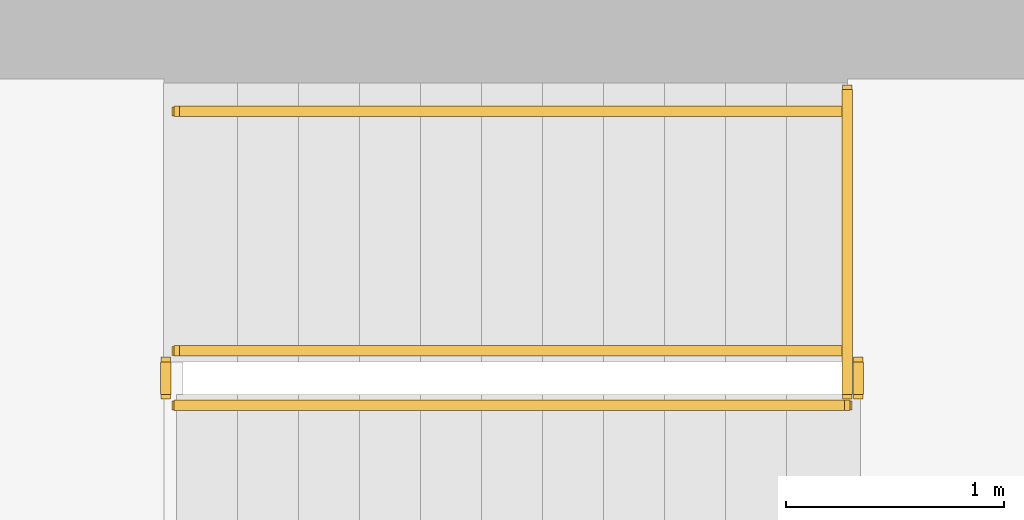
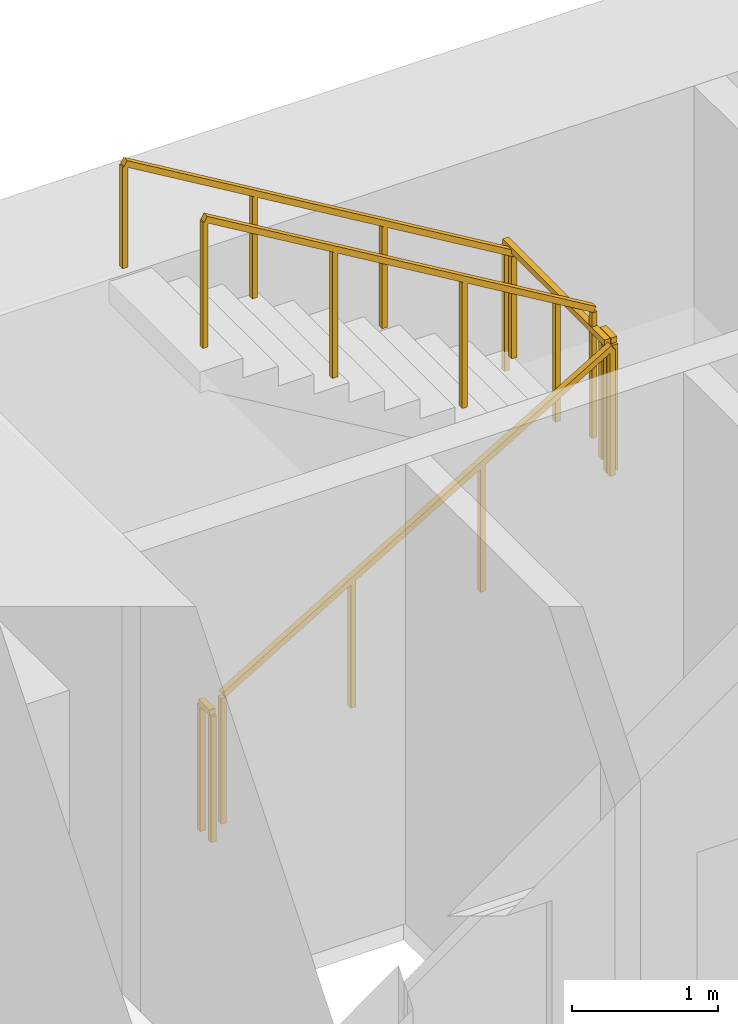
# One storey, part 15 of 16: 6 railings.
"""IFC4 building model written with IfcOpenShell, lengths in metres."""

from ifc_helpers import new_model, si_unit, direction, frame, origin, origin_2d, place, context, subcontext, project, spatial, rectangle, extrude, material, type_object, element, save


model = new_model("IFC4")

# Units and contexts
model_context = context("Model", 3, precision=1e-05, world=origin(), true_north=direction((0.0, 1.0)))
body_context = subcontext(model_context, "Body", "Model", "MODEL_VIEW")
ifc_project = project(units=[si_unit("LENGTHUNIT", "METRE"), si_unit("AREAUNIT", "SQUARE_METRE"), si_unit("VOLUMEUNIT", "CUBIC_METRE"), si_unit("PLANEANGLEUNIT", "RADIAN"), si_unit("MASSUNIT", "GRAM", prefix="KILO")], contexts=[model_context])

# Site, building, storey
site_placement = place(None, origin())
site = spatial("IfcSite", under=ifc_project, at=site_placement, CompositionType="ELEMENT")
building_placement = place(site_placement, origin())
building = spatial("IfcBuilding", under=site, at=building_placement, Name="Sennacour Bend Tower", CompositionType="ELEMENT")
storey_placement = place(building_placement, frame((0.0, 0.0, 69.0)))
storey = spatial("IfcBuildingStorey", under=building, at=storey_placement, Name="L15", CompositionType="ELEMENT", Elevation=69.0)

# Railings
ifc_material = material(Name="Stainless steel", Category="steel")
railing_type_1 = type_object("IfcRailingType", Name="RL-GUARD-1100", PredefinedType="GUARDRAIL", material=ifc_material)
railing_1_placement = place(storey_placement, frame((56.699951171875, 19.85009765625, 0.166748046875)))
element("IfcRailing", 1, at=railing_1_placement, inside=storey, type_object=railing_type_1, Name="L15 SA2 stair guard 1", PredefinedType="GUARDRAIL", context=body_context, shape_type="SweptSolid", body=[
    extrude(rectangle(XDim=0.048095703125, YDim=0.048095703125, at=origin_2d()), frame((0.0, 0.0, 1.076171875), z_axis=(0.859308565015, 0.0, 0.511457515432), x_axis=(0.0, 1.0, 0.0)), (0.0, 0.0, 1.0), 3.58447265625),
    extrude(rectangle(XDim=0.0419921875, YDim=0.0419921875, at=origin_2d()), origin(), (0.0, 0.0, 1.0), 1.052001953125),
    extrude(rectangle(XDim=0.0419921875, YDim=0.0419921875, at=origin_2d()), frame((1.026611328125, 0.0, 0.611083984375)), (0.0, 0.0, 1.0), 1.052001953125),
    extrude(rectangle(XDim=0.0419921875, YDim=0.0419921875, at=origin_2d()), frame((2.053466796875, 0.0, 1.22216796875)), (0.0, 0.0, 1.0), 1.052001953125),
    extrude(rectangle(XDim=0.0419921875, YDim=0.0419921875, at=origin_2d()), frame((3.080078125, 0.0, 1.833251953125)), (0.0, 0.0, 1.0), 1.052001953125),
])
railing_2_placement = place(storey_placement, frame((59.830078125, 19.89990234375, 2.0)))
element("IfcRailing", 2, at=railing_2_placement, inside=storey, type_object=railing_type_1, Name="L15 SA2 stair guard 2", PredefinedType="GUARDRAIL", context=body_context, shape_type="SweptSolid", body=[
    extrude(rectangle(XDim=0.048095703125, YDim=0.048095703125, at=origin_2d()), frame((0.0, 0.0, 1.076171875), z_axis=(0.0, 1.0, 0.0), x_axis=(-1.0, 0.0, 0.0)), (0.0, 0.0, 1.0), 0.150146484375),
    extrude(rectangle(XDim=0.0419921875, YDim=0.0419921875, at=origin_2d()), origin(), (0.0, 0.0, 1.0), 1.052001953125),
    extrude(rectangle(XDim=0.0419921875, YDim=0.0419921875, at=origin_2d()), frame((0.0, 0.150146484375, 0.0)), (0.0, 0.0, 1.0), 1.052001953125),
])
railing_3_placement = place(storey_placement, frame((59.780029296875, 20.10009765625, 2.166748046875)))
element("IfcRailing", 3, at=railing_3_placement, inside=storey, type_object=railing_type_1, Name="L15 SA2 stair guard 4", PredefinedType="GUARDRAIL", context=body_context, shape_type="SweptSolid", body=[
    extrude(rectangle(XDim=0.048095703125, YDim=0.048095703125, at=origin_2d()), frame((0.0, 0.0, 1.076171875), z_axis=(-0.859308565015, 0.0, 0.511457515432), x_axis=(0.0, -1.0, 0.0)), (0.0, 0.0, 1.0), 3.58447265625),
    extrude(rectangle(XDim=0.0419921875, YDim=0.0419921875, at=origin_2d()), origin(), (0.0, 0.0, 1.0), 1.052001953125),
    extrude(rectangle(XDim=0.0419921875, YDim=0.0419921875, at=origin_2d()), frame((-1.026611328125, 0.0, 0.611083984375)), (0.0, 0.0, 1.0), 1.052001953125),
    extrude(rectangle(XDim=0.0419921875, YDim=0.0419921875, at=origin_2d()), frame((-2.053466796875, 0.0, 1.22216796875)), (0.0, 0.0, 1.0), 1.052001953125),
    extrude(rectangle(XDim=0.0419921875, YDim=0.0419921875, at=origin_2d()), frame((-3.080078125, 0.0, 1.833251953125)), (0.0, 0.0, 1.0), 1.052001953125),
])
railing_4_placement = place(storey_placement, frame((56.64990234375, 19.89990234375, 0.0)))
element("IfcRailing", 4, at=railing_4_placement, inside=storey, type_object=railing_type_1, Name="L15 SA2 stair guard 5", PredefinedType="GUARDRAIL", context=body_context, shape_type="SweptSolid", body=[
    extrude(rectangle(XDim=0.048095703125, YDim=0.048095703125, at=origin_2d()), frame((0.0, 0.0, 1.076171875), z_axis=(0.0, 1.0, 0.0), x_axis=(-1.0, 0.0, 0.0)), (0.0, 0.0, 1.0), 0.150146484375),
    extrude(rectangle(XDim=0.0419921875, YDim=0.0419921875, at=origin_2d()), origin(), (0.0, 0.0, 1.0), 1.052001953125),
    extrude(rectangle(XDim=0.0419921875, YDim=0.0419921875, at=origin_2d()), frame((0.0, 0.150146484375, 0.0)), (0.0, 0.0, 1.0), 1.052001953125),
])
railing_5_placement = place(storey_placement, frame((59.780029296875, 19.89990234375, 2.0)))
element("IfcRailing", 5, at=railing_5_placement, inside=storey, type_object=railing_type_1, Name="L15 SA2 landing edge guard 26", PredefinedType="GUARDRAIL", context=body_context, shape_type="SweptSolid", body=[
    extrude(rectangle(XDim=0.048095703125, YDim=0.048095703125, at=origin_2d()), frame((0.0, 0.0, 1.076171875), z_axis=(0.0, 1.0, 0.0), x_axis=(-1.0, 0.0, 0.0)), (0.0, 0.0, 1.0), 1.400146484375),
    extrude(rectangle(XDim=0.0419921875, YDim=0.0419921875, at=origin_2d()), origin(), (0.0, 0.0, 1.0), 1.052001953125),
    extrude(rectangle(XDim=0.0419921875, YDim=0.0419921875, at=origin_2d()), frame((0.0, 0.7001953125, 0.0)), (0.0, 0.0, 1.0), 1.052001953125),
    extrude(rectangle(XDim=0.0419921875, YDim=0.0419921875, at=origin_2d()), frame((0.0, 1.400146484375, 0.0)), (0.0, 0.0, 1.0), 1.052001953125),
])
railing_type_2 = type_object("IfcRailingType", Name="RL-HANDRAIL-900", PredefinedType="HANDRAIL", material=ifc_material)
railing_6_placement = place(storey_placement, frame((59.780029296875, 21.199951171875, 2.166748046875)))
element("IfcRailing", 6, at=railing_6_placement, inside=storey, type_object=railing_type_2, Name="L15 SA2 stair handrail 2", PredefinedType="HANDRAIL", context=body_context, shape_type="SweptSolid", body=[
    extrude(rectangle(XDim=0.048095703125, YDim=0.048095703125, at=origin_2d()), frame((0.0, 0.0, 0.8759765625), z_axis=(-0.859308565015, 0.0, 0.511457515432), x_axis=(0.0, -1.0, 0.0)), (0.0, 0.0, 1.0), 3.58447265625),
    extrude(rectangle(XDim=0.0419921875, YDim=0.0419921875, at=origin_2d()), origin(), (0.0, 0.0, 1.0), 0.851806640625),
    extrude(rectangle(XDim=0.0419921875, YDim=0.0419921875, at=origin_2d()), frame((-1.026611328125, 0.0, 0.611083984375)), (0.0, 0.0, 1.0), 0.851806640625),
    extrude(rectangle(XDim=0.0419921875, YDim=0.0419921875, at=origin_2d()), frame((-2.053466796875, 0.0, 1.22216796875)), (0.0, 0.0, 1.0), 0.851806640625),
    extrude(rectangle(XDim=0.0419921875, YDim=0.0419921875, at=origin_2d()), frame((-3.080078125, 0.0, 1.833251953125)), (0.0, 0.0, 1.0), 0.851806640625),
])

save(model, "model.ifc")
